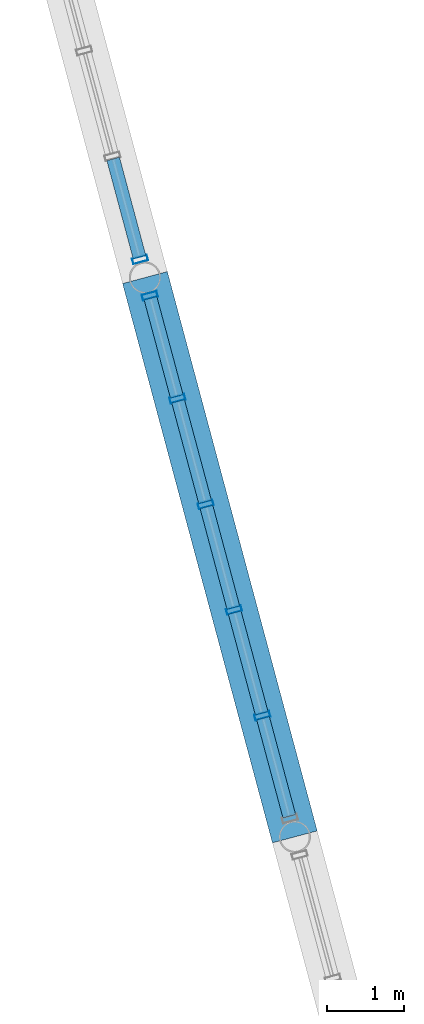
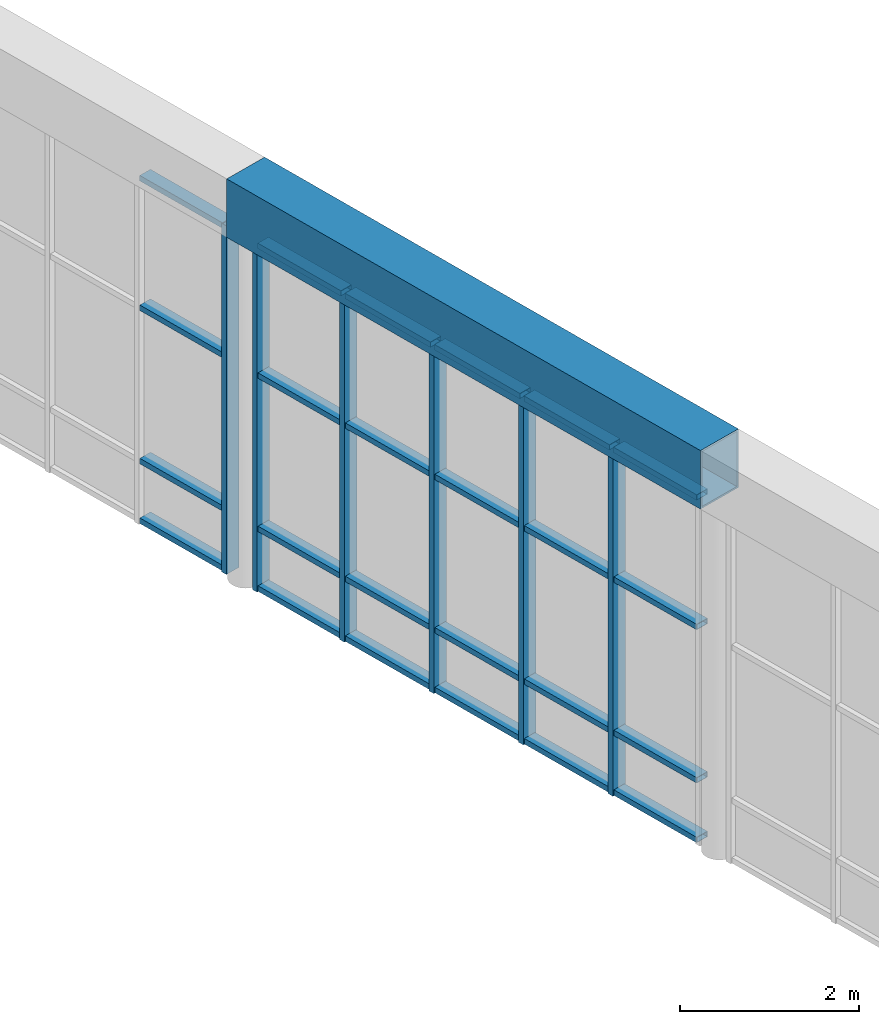
# One storey, part 23 of 55: 30 members, 1 beam, 2 elements without a shape of their own.
"""IFC4 building model written with IfcOpenShell, lengths in metres."""

from ifc_helpers import new_model, si_unit, direction, frame, origin, origin_2d, place, context, subcontext, project, spatial, hollow_rectangle, extrude, material, layer, layer_set, material_profile, profile_set, type_object, element, aggregate, save


model = new_model("IFC4")

# Units and contexts
model_context = context("Model", 3, precision=1e-05, world=origin(), true_north=direction((0.0, 1.0)))
body_context = subcontext(model_context, "Body", "Model", "MODEL_VIEW")
ifc_project = project(units=[si_unit("LENGTHUNIT", "METRE"), si_unit("AREAUNIT", "SQUARE_METRE"), si_unit("VOLUMEUNIT", "CUBIC_METRE"), si_unit("PLANEANGLEUNIT", "RADIAN"), si_unit("MASSUNIT", "GRAM", prefix="KILO")], contexts=[model_context])

# Site, building, storey
site_placement = place(None, origin())
site = spatial("IfcSite", under=ifc_project, at=site_placement, CompositionType="ELEMENT")
building_placement = place(site_placement, origin())
building = spatial("IfcBuilding", under=site, at=building_placement, Name="Ventoquebrada Cableway Terminal", CompositionType="ELEMENT")
storey_placement = place(building_placement, frame((0.0, 0.0, 14.39990234375)))
storey = spatial("IfcBuildingStorey", under=building, at=storey_placement, Name="L03", CompositionType="ELEMENT", Elevation=14.39990234375)

# Curtain wall, members
ifc_material_1 = material(Name="Anodized thermally-broken aluminium", Category="aluminium")
ifc_layer = layer(ifc_material_1, 0.159912109375)
ifc_layer_set = layer_set([ifc_layer], Name="Anodized thermally-broken aluminium")
curtain_wall_type = type_object("IfcCurtainWallType", Name="CW-T44", PredefinedType="USERDEFINED", material=ifc_layer_set)
curtain_wall_1_placement = place(storey_placement, origin())
curtain_wall_1 = element("IfcCurtainWall", 1, at=curtain_wall_1_placement, inside=storey, type_object=curtain_wall_type, Name="Unitised glazed curtain wall CW-126", ObjectType="UNITISED CURTAIN WALL", PredefinedType="USERDEFINED")
ifc_material_profile_1 = material_profile(ifc_material_1, hollow_rectangle(XDim=0.074951171875, YDim=0.199951171875, WallThickness=0.00439453125, at=origin_2d()), Name="CW-MUL-75X200")
ifc_profile_set_1 = profile_set([ifc_material_profile_1], Name="Anodized thermally-broken aluminium")
member_type_1 = type_object("IfcMemberType", Name="CWM-02", PredefinedType="MULLION", material=ifc_profile_set_1)
member_1_placement = place(storey_placement, frame((48.676025390625, 82.10595703125, -0.0078125), z_axis=(0.0, 0.0, 1.0), x_axis=(0.258785327773, -0.96593486019, 0.0)))
member_1 = element("IfcMember", 2, at=member_1_placement, type_object=member_type_1, Name="Curtain wall mullion FML-0610", PredefinedType="MULLION", context=body_context, shape_type="SweptSolid", body=[
    extrude(hollow_rectangle(XDim=0.074951171875, YDim=0.199951171875, WallThickness=0.00439453125, at=origin_2d()), origin(), (0.0, 0.0, 1.0), 4.762939453125),
])
member_2_placement = place(storey_placement, frame((49.033935546875, 80.77197265625, -0.0078125), z_axis=(0.0, 0.0, 1.0), x_axis=(0.258785327773, -0.96593486019, 0.0)))
member_2 = element("IfcMember", 3, at=member_2_placement, type_object=member_type_1, Name="Curtain wall mullion FML-0611", PredefinedType="MULLION", context=body_context, shape_type="SweptSolid", body=[
    extrude(hollow_rectangle(XDim=0.074951171875, YDim=0.199951171875, WallThickness=0.00439453125, at=origin_2d()), origin(), (0.0, 0.0, 1.0), 4.762939453125),
])
member_3_placement = place(storey_placement, frame((49.39990234375, 79.403076171875, -0.0078125), z_axis=(0.0, 0.0, 1.0), x_axis=(0.258785327773, -0.96593486019, 0.0)))
member_3 = element("IfcMember", 4, at=member_3_placement, type_object=member_type_1, Name="Curtain wall mullion FML-0612", PredefinedType="MULLION", context=body_context, shape_type="SweptSolid", body=[
    extrude(hollow_rectangle(XDim=0.074951171875, YDim=0.199951171875, WallThickness=0.00439453125, at=origin_2d()), origin(), (0.0, 0.0, 1.0), 4.762939453125),
])
member_4_placement = place(storey_placement, frame((49.76708984375, 78.034912109375, -0.0078125), z_axis=(0.0, 0.0, 1.0), x_axis=(0.258785327773, -0.96593486019, 0.0)))
member_4 = element("IfcMember", 5, at=member_4_placement, type_object=member_type_1, Name="Curtain wall mullion FML-0613", PredefinedType="MULLION", context=body_context, shape_type="SweptSolid", body=[
    extrude(hollow_rectangle(XDim=0.074951171875, YDim=0.199951171875, WallThickness=0.00439453125, at=origin_2d()), origin(), (0.0, 0.0, 1.0), 4.762939453125),
])
member_5_placement = place(storey_placement, frame((50.133056640625, 76.666015625, -0.0078125), z_axis=(0.0, 0.0, 1.0), x_axis=(0.258785327773, -0.96593486019, 0.0)))
member_5 = element("IfcMember", 6, at=member_5_placement, type_object=member_type_1, Name="Curtain wall mullion FML-0614", PredefinedType="MULLION", context=body_context, shape_type="SweptSolid", body=[
    extrude(hollow_rectangle(XDim=0.074951171875, YDim=0.199951171875, WallThickness=0.00439453125, at=origin_2d()), origin(), (0.0, 0.0, 1.0), 4.762939453125),
])

# Curtain wall, member
curtain_wall_2_placement = place(storey_placement, origin())
curtain_wall_2 = element("IfcCurtainWall", 7, at=curtain_wall_2_placement, inside=storey, type_object=curtain_wall_type, Name="Unitised glazed curtain wall CW-127", ObjectType="UNITISED CURTAIN WALL", PredefinedType="USERDEFINED")
member_6_placement = place(storey_placement, frame((48.550048828125, 82.575927734375, -0.0078125), z_axis=(0.0, 0.0, 1.0), x_axis=(0.258734751187, -0.965948408834, 0.0)))
member_6 = element("IfcMember", 8, at=member_6_placement, type_object=member_type_1, Name="Curtain wall mullion FML-0621", PredefinedType="MULLION", context=body_context, shape_type="SweptSolid", body=[
    extrude(hollow_rectangle(XDim=0.074951171875, YDim=0.199951171875, WallThickness=0.00439453125, at=origin_2d()), origin(), (0.0, 0.0, 1.0), 4.762939453125),
])

# Member
ifc_material_profile_2 = material_profile(ifc_material_1, hollow_rectangle(XDim=0.074951171875, YDim=0.169921875, WallThickness=0.00439453125, at=origin_2d()), Name="CW-TRN-75X170")
ifc_profile_set_2 = profile_set([ifc_material_profile_2], Name="Anodized thermally-broken aluminium")
member_type_2 = type_object("IfcMemberType", Name="CWT-03", PredefinedType="USERDEFINED", material=ifc_profile_set_2)
member_7_placement = place(storey_placement, frame((48.68408203125, 82.074951171875, 0.03515625), z_axis=(0.258816399805, -0.96592653509, 0.0), x_axis=(0.0, 0.0, 1.0)))
member_7 = element("IfcMember", 9, at=member_7_placement, type_object=member_type_2, Name="Curtain wall transom FTR-1804", ObjectType="TRANSOM", PredefinedType="USERDEFINED", context=body_context, shape_type="SweptSolid", body=[
    extrude(hollow_rectangle(XDim=0.074951171875, YDim=0.169921875, WallThickness=0.00439453125, at=origin_2d()), origin(), (0.0, 0.0, 1.0), 1.31689453125),
])

member_8_placement = place(storey_placement, frame((48.68408203125, 82.074951171875, 0.85009765625), z_axis=(0.258816399805, -0.96592653509, 0.0), x_axis=(0.0, 0.0, 1.0)))
member_8 = element("IfcMember", 10, at=member_8_placement, type_object=member_type_2, Name="Curtain wall transom FTR-1805", ObjectType="TRANSOM", PredefinedType="USERDEFINED", context=body_context, shape_type="SweptSolid", body=[
    extrude(hollow_rectangle(XDim=0.074951171875, YDim=0.169921875, WallThickness=0.00439453125, at=origin_2d()), origin(), (0.0, 0.0, 1.0), 1.31689453125),
])

member_9_placement = place(storey_placement, frame((48.68408203125, 82.074951171875, 2.945068359375), z_axis=(0.258816399805, -0.96592653509, 0.0), x_axis=(0.0, 0.0, 1.0)))
member_9 = element("IfcMember", 11, at=member_9_placement, type_object=member_type_2, Name="Curtain wall transom FTR-1806", ObjectType="TRANSOM", PredefinedType="USERDEFINED", context=body_context, shape_type="SweptSolid", body=[
    extrude(hollow_rectangle(XDim=0.074951171875, YDim=0.169921875, WallThickness=0.00439453125, at=origin_2d()), origin(), (0.0, 0.0, 1.0), 1.31689453125),
])

member_10_placement = place(storey_placement, frame((48.68408203125, 82.074951171875, 4.715087890625), z_axis=(0.258816399805, -0.96592653509, 0.0), x_axis=(0.0, 0.0, 1.0)))
member_10 = element("IfcMember", 12, at=member_10_placement, type_object=member_type_2, Name="Curtain wall transom FTR-1807", ObjectType="TRANSOM", PredefinedType="USERDEFINED", context=body_context, shape_type="SweptSolid", body=[
    extrude(hollow_rectangle(XDim=0.074951171875, YDim=0.169921875, WallThickness=0.00439453125, at=origin_2d()), origin(), (0.0, 0.0, 1.0), 1.31689453125),
])

member_11_placement = place(storey_placement, frame((49.0419921875, 80.739990234375, 0.03515625), z_axis=(0.259124454698, -0.965843940281, 0.0), x_axis=(0.0, 0.0, 1.0)))
member_11 = element("IfcMember", 13, at=member_11_placement, type_object=member_type_2, Name="Curtain wall transom FTR-1808", ObjectType="TRANSOM", PredefinedType="USERDEFINED", context=body_context, shape_type="SweptSolid", body=[
    extrude(hollow_rectangle(XDim=0.074951171875, YDim=0.169921875, WallThickness=0.00439453125, at=origin_2d()), origin(), (0.0, 0.0, 1.0), 1.35107421875),
])

member_12_placement = place(storey_placement, frame((49.0419921875, 80.739990234375, 0.85009765625), z_axis=(0.259124454698, -0.965843940281, 0.0), x_axis=(0.0, 0.0, 1.0)))
member_12 = element("IfcMember", 14, at=member_12_placement, type_object=member_type_2, Name="Curtain wall transom FTR-1809", ObjectType="TRANSOM", PredefinedType="USERDEFINED", context=body_context, shape_type="SweptSolid", body=[
    extrude(hollow_rectangle(XDim=0.074951171875, YDim=0.169921875, WallThickness=0.00439453125, at=origin_2d()), origin(), (0.0, 0.0, 1.0), 1.35107421875),
])

member_13_placement = place(storey_placement, frame((49.0419921875, 80.739990234375, 2.945068359375), z_axis=(0.259124454698, -0.965843940281, 0.0), x_axis=(0.0, 0.0, 1.0)))
member_13 = element("IfcMember", 15, at=member_13_placement, type_object=member_type_2, Name="Curtain wall transom FTR-1810", ObjectType="TRANSOM", PredefinedType="USERDEFINED", context=body_context, shape_type="SweptSolid", body=[
    extrude(hollow_rectangle(XDim=0.074951171875, YDim=0.169921875, WallThickness=0.00439453125, at=origin_2d()), origin(), (0.0, 0.0, 1.0), 1.35107421875),
])

member_14_placement = place(storey_placement, frame((49.0419921875, 80.739990234375, 4.715087890625), z_axis=(0.259124454698, -0.965843940281, 0.0), x_axis=(0.0, 0.0, 1.0)))
member_14 = element("IfcMember", 16, at=member_14_placement, type_object=member_type_2, Name="Curtain wall transom FTR-1811", ObjectType="TRANSOM", PredefinedType="USERDEFINED", context=body_context, shape_type="SweptSolid", body=[
    extrude(hollow_rectangle(XDim=0.074951171875, YDim=0.169921875, WallThickness=0.00439453125, at=origin_2d()), origin(), (0.0, 0.0, 1.0), 1.35107421875),
])

member_15_placement = place(storey_placement, frame((49.408935546875, 79.3720703125, 0.03515625), z_axis=(0.25822456742, -0.966084920067, 0.0), x_axis=(0.0, 0.0, 1.0)))
member_15 = element("IfcMember", 17, at=member_15_placement, type_object=member_type_2, Name="Curtain wall transom FTR-1812", ObjectType="TRANSOM", PredefinedType="USERDEFINED", context=body_context, shape_type="SweptSolid", body=[
    extrude(hollow_rectangle(XDim=0.074951171875, YDim=0.169921875, WallThickness=0.00439453125, at=origin_2d()), origin(), (0.0, 0.0, 1.0), 1.35205078125),
])

member_16_placement = place(storey_placement, frame((49.408935546875, 79.3720703125, 0.85009765625), z_axis=(0.25822456742, -0.966084920067, 0.0), x_axis=(0.0, 0.0, 1.0)))
member_16 = element("IfcMember", 18, at=member_16_placement, type_object=member_type_2, Name="Curtain wall transom FTR-1813", ObjectType="TRANSOM", PredefinedType="USERDEFINED", context=body_context, shape_type="SweptSolid", body=[
    extrude(hollow_rectangle(XDim=0.074951171875, YDim=0.169921875, WallThickness=0.00439453125, at=origin_2d()), origin(), (0.0, 0.0, 1.0), 1.35205078125),
])

member_17_placement = place(storey_placement, frame((49.408935546875, 79.3720703125, 2.945068359375), z_axis=(0.25822456742, -0.966084920067, 0.0), x_axis=(0.0, 0.0, 1.0)))
member_17 = element("IfcMember", 19, at=member_17_placement, type_object=member_type_2, Name="Curtain wall transom FTR-1814", ObjectType="TRANSOM", PredefinedType="USERDEFINED", context=body_context, shape_type="SweptSolid", body=[
    extrude(hollow_rectangle(XDim=0.074951171875, YDim=0.169921875, WallThickness=0.00439453125, at=origin_2d()), origin(), (0.0, 0.0, 1.0), 1.35205078125),
])

member_18_placement = place(storey_placement, frame((49.408935546875, 79.3720703125, 4.715087890625), z_axis=(0.25822456742, -0.966084920067, 0.0), x_axis=(0.0, 0.0, 1.0)))
member_18 = element("IfcMember", 20, at=member_18_placement, type_object=member_type_2, Name="Curtain wall transom FTR-1815", ObjectType="TRANSOM", PredefinedType="USERDEFINED", context=body_context, shape_type="SweptSolid", body=[
    extrude(hollow_rectangle(XDim=0.074951171875, YDim=0.169921875, WallThickness=0.00439453125, at=origin_2d()), origin(), (0.0, 0.0, 1.0), 1.35205078125),
])

member_19_placement = place(storey_placement, frame((49.77490234375, 78.0029296875, 0.03515625), z_axis=(0.259124454698, -0.965843940281, 0.0), x_axis=(0.0, 0.0, 1.0)))
member_19 = element("IfcMember", 21, at=member_19_placement, type_object=member_type_2, Name="Curtain wall transom FTR-1816", ObjectType="TRANSOM", PredefinedType="USERDEFINED", context=body_context, shape_type="SweptSolid", body=[
    extrude(hollow_rectangle(XDim=0.074951171875, YDim=0.169921875, WallThickness=0.00439453125, at=origin_2d()), origin(), (0.0, 0.0, 1.0), 1.35107421875),
])

member_20_placement = place(storey_placement, frame((49.77490234375, 78.0029296875, 0.85009765625), z_axis=(0.259124454698, -0.965843940281, 0.0), x_axis=(0.0, 0.0, 1.0)))
member_20 = element("IfcMember", 22, at=member_20_placement, type_object=member_type_2, Name="Curtain wall transom FTR-1817", ObjectType="TRANSOM", PredefinedType="USERDEFINED", context=body_context, shape_type="SweptSolid", body=[
    extrude(hollow_rectangle(XDim=0.074951171875, YDim=0.169921875, WallThickness=0.00439453125, at=origin_2d()), origin(), (0.0, 0.0, 1.0), 1.35107421875),
])

member_21_placement = place(storey_placement, frame((49.77490234375, 78.0029296875, 2.945068359375), z_axis=(0.259124454698, -0.965843940281, 0.0), x_axis=(0.0, 0.0, 1.0)))
member_21 = element("IfcMember", 23, at=member_21_placement, type_object=member_type_2, Name="Curtain wall transom FTR-1818", ObjectType="TRANSOM", PredefinedType="USERDEFINED", context=body_context, shape_type="SweptSolid", body=[
    extrude(hollow_rectangle(XDim=0.074951171875, YDim=0.169921875, WallThickness=0.00439453125, at=origin_2d()), origin(), (0.0, 0.0, 1.0), 1.35107421875),
])

member_22_placement = place(storey_placement, frame((49.77490234375, 78.0029296875, 4.715087890625), z_axis=(0.259124454698, -0.965843940281, 0.0), x_axis=(0.0, 0.0, 1.0)))
member_22 = element("IfcMember", 24, at=member_22_placement, type_object=member_type_2, Name="Curtain wall transom FTR-1819", ObjectType="TRANSOM", PredefinedType="USERDEFINED", context=body_context, shape_type="SweptSolid", body=[
    extrude(hollow_rectangle(XDim=0.074951171875, YDim=0.169921875, WallThickness=0.00439453125, at=origin_2d()), origin(), (0.0, 0.0, 1.0), 1.35107421875),
])

member_23_placement = place(storey_placement, frame((50.14208984375, 76.635009765625, 0.03515625), z_axis=(0.258816399805, -0.96592653509, 0.0), x_axis=(0.0, 0.0, 1.0)))
member_23 = element("IfcMember", 25, at=member_23_placement, type_object=member_type_2, Name="Curtain wall transom FTR-1820", ObjectType="TRANSOM", PredefinedType="USERDEFINED", context=body_context, shape_type="SweptSolid", body=[
    extrude(hollow_rectangle(XDim=0.074951171875, YDim=0.169921875, WallThickness=0.00439453125, at=origin_2d()), origin(), (0.0, 0.0, 1.0), 1.31689453125),
])

member_24_placement = place(storey_placement, frame((50.14208984375, 76.635009765625, 0.85009765625), z_axis=(0.258816399805, -0.96592653509, 0.0), x_axis=(0.0, 0.0, 1.0)))
member_24 = element("IfcMember", 26, at=member_24_placement, type_object=member_type_2, Name="Curtain wall transom FTR-1821", ObjectType="TRANSOM", PredefinedType="USERDEFINED", context=body_context, shape_type="SweptSolid", body=[
    extrude(hollow_rectangle(XDim=0.074951171875, YDim=0.169921875, WallThickness=0.00439453125, at=origin_2d()), origin(), (0.0, 0.0, 1.0), 1.31689453125),
])

member_25_placement = place(storey_placement, frame((50.14208984375, 76.635009765625, 2.945068359375), z_axis=(0.258816399805, -0.96592653509, 0.0), x_axis=(0.0, 0.0, 1.0)))
member_25 = element("IfcMember", 27, at=member_25_placement, type_object=member_type_2, Name="Curtain wall transom FTR-1822", ObjectType="TRANSOM", PredefinedType="USERDEFINED", context=body_context, shape_type="SweptSolid", body=[
    extrude(hollow_rectangle(XDim=0.074951171875, YDim=0.169921875, WallThickness=0.00439453125, at=origin_2d()), origin(), (0.0, 0.0, 1.0), 1.31689453125),
])

member_26_placement = place(storey_placement, frame((50.14208984375, 76.635009765625, 4.715087890625), z_axis=(0.258816399805, -0.96592653509, 0.0), x_axis=(0.0, 0.0, 1.0)))
member_26 = element("IfcMember", 28, at=member_26_placement, type_object=member_type_2, Name="Curtain wall transom FTR-1823", ObjectType="TRANSOM", PredefinedType="USERDEFINED", context=body_context, shape_type="SweptSolid", body=[
    extrude(hollow_rectangle(XDim=0.074951171875, YDim=0.169921875, WallThickness=0.00439453125, at=origin_2d()), origin(), (0.0, 0.0, 1.0), 1.31689453125),
])

aggregate(curtain_wall_1, [member_1, member_2, member_3, member_4, member_5, member_7, member_8, member_9, member_10, member_11, member_12, member_13, member_14, member_15, member_16, member_17, member_18, member_19, member_20, member_21, member_22, member_23, member_24, member_25, member_26])

member_27_placement = place(storey_placement, frame((48.200927734375, 83.87890625, 0.03515625), z_axis=(0.258989366825, -0.965880172626, 0.0), x_axis=(0.0, 0.0, 1.0)))
member_27 = element("IfcMember", 29, at=member_27_placement, type_object=member_type_2, Name="Curtain wall transom FTR-1840", ObjectType="TRANSOM", PredefinedType="USERDEFINED", context=body_context, shape_type="SweptSolid", body=[
    extrude(hollow_rectangle(XDim=0.074951171875, YDim=0.169921875, WallThickness=0.00439453125, at=origin_2d()), origin(), (0.0, 0.0, 1.0), 1.31689453125),
])

member_28_placement = place(storey_placement, frame((48.200927734375, 83.87890625, 0.85009765625), z_axis=(0.258989366825, -0.965880172626, 0.0), x_axis=(0.0, 0.0, 1.0)))
member_28 = element("IfcMember", 30, at=member_28_placement, type_object=member_type_2, Name="Curtain wall transom FTR-1841", ObjectType="TRANSOM", PredefinedType="USERDEFINED", context=body_context, shape_type="SweptSolid", body=[
    extrude(hollow_rectangle(XDim=0.074951171875, YDim=0.169921875, WallThickness=0.00439453125, at=origin_2d()), origin(), (0.0, 0.0, 1.0), 1.31689453125),
])

member_29_placement = place(storey_placement, frame((48.200927734375, 83.87890625, 2.945068359375), z_axis=(0.258989366825, -0.965880172626, 0.0), x_axis=(0.0, 0.0, 1.0)))
member_29 = element("IfcMember", 31, at=member_29_placement, type_object=member_type_2, Name="Curtain wall transom FTR-1842", ObjectType="TRANSOM", PredefinedType="USERDEFINED", context=body_context, shape_type="SweptSolid", body=[
    extrude(hollow_rectangle(XDim=0.074951171875, YDim=0.169921875, WallThickness=0.00439453125, at=origin_2d()), origin(), (0.0, 0.0, 1.0), 1.31689453125),
])

member_30_placement = place(storey_placement, frame((48.200927734375, 83.87890625, 4.715087890625), z_axis=(0.258989366825, -0.965880172626, 0.0), x_axis=(0.0, 0.0, 1.0)))
member_30 = element("IfcMember", 32, at=member_30_placement, type_object=member_type_2, Name="Curtain wall transom FTR-1843", ObjectType="TRANSOM", PredefinedType="USERDEFINED", context=body_context, shape_type="SweptSolid", body=[
    extrude(hollow_rectangle(XDim=0.074951171875, YDim=0.169921875, WallThickness=0.00439453125, at=origin_2d()), origin(), (0.0, 0.0, 1.0), 1.31689453125),
])

aggregate(curtain_wall_2, [member_6, member_27, member_28, member_29, member_30])

# Beam
ifc_material_2 = material(Name="Steel ASTM A572 Grade 50", Category="steel")
ifc_material_profile_3 = material_profile(ifc_material_2, hollow_rectangle(XDim=0.60009765625, YDim=0.800048828125, WallThickness=0.02490234375, at=origin_2d()), Name="BOX600X800X25")
ifc_profile_set_3 = profile_set([ifc_material_profile_3], Name="Steel ASTM A572 Grade 50")
beam_type = type_object("IfcBeamType", Name="RNG-ST01", PredefinedType="BEAM", material=ifc_profile_set_3)
beam_placement = place(storey_placement, frame((50.553955078125, 75.096923828125, 5.2001953125), z_axis=(-0.258801172479, 0.965930615067, 0.0), x_axis=(-0.965930615067, -0.258801172479, 0.0)))
element("IfcBeam", 33, at=beam_placement, inside=storey, type_object=beam_type, Name="Gridshell compression-tension ring beam FBM-1129", PredefinedType="BEAM", context=body_context, shape_type="SweptSolid", body=[
    extrude(hollow_rectangle(XDim=0.60009765625, YDim=0.800048828125, WallThickness=0.02490234375, at=origin_2d()), origin(), (0.0, 0.0, 1.0), 7.499755859375),
])

save(model, "model.ifc")
